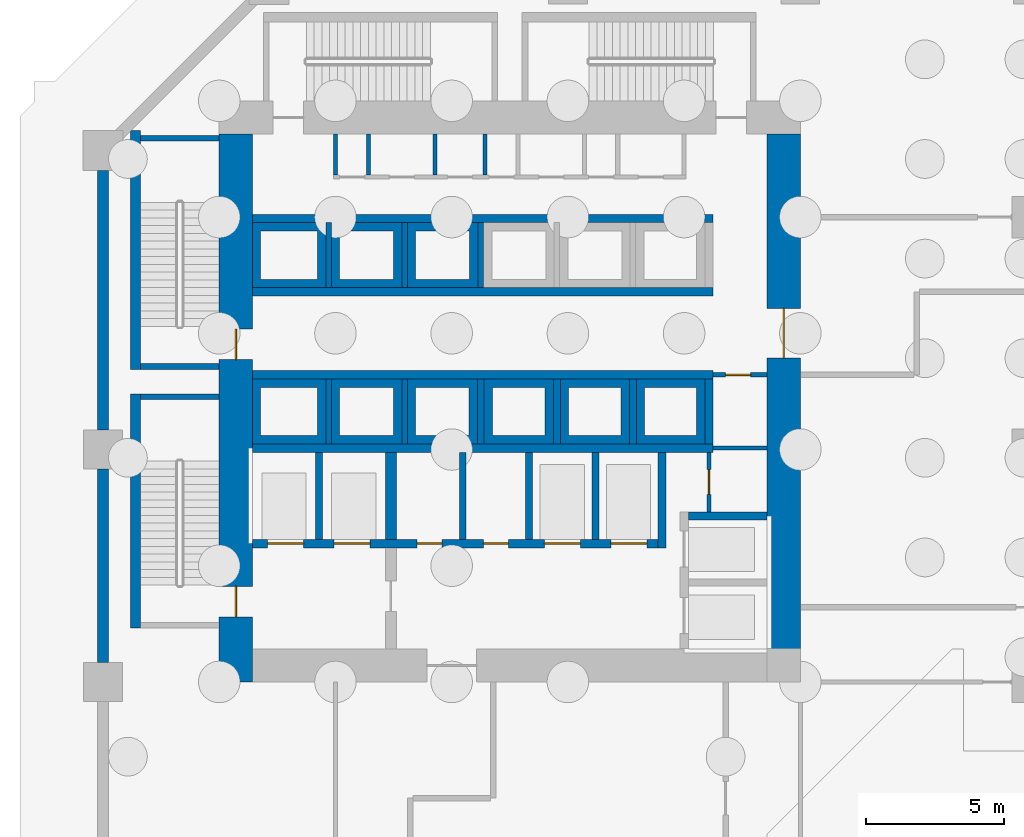
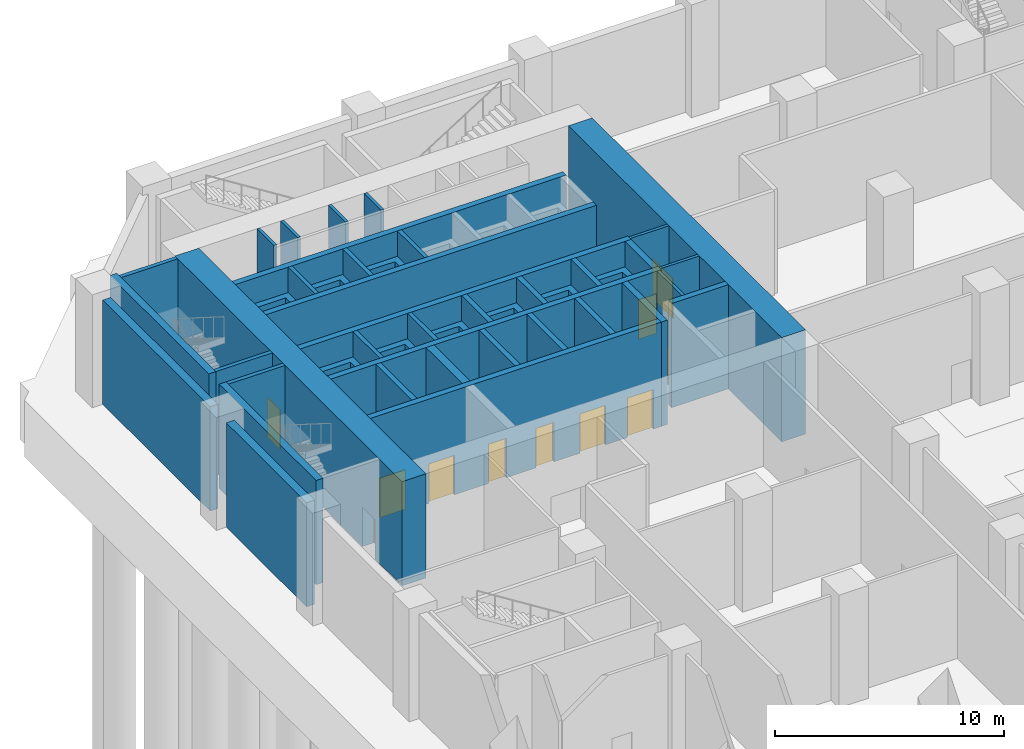
# One storey, part 7 of 13: 46 walls, 11 doors, 11 openings.
"""IFC4 building model written with IfcOpenShell, lengths in metres."""

from ifc_helpers import new_model, si_unit, direction, frame, frame_2d, origin, place, context, subcontext, project, spatial, polyline, rectangle, outline, extrude, material, layer, layer_set, type_object, element, fill, save


model = new_model("IFC4")

# Units and contexts
model_context = context("Model", 3, precision=1e-05, world=origin(), true_north=direction((0.0, 1.0)))
body_context = subcontext(model_context, "Body", "Model", "MODEL_VIEW")
ifc_project = project(units=[si_unit("LENGTHUNIT", "METRE"), si_unit("AREAUNIT", "SQUARE_METRE"), si_unit("VOLUMEUNIT", "CUBIC_METRE"), si_unit("PLANEANGLEUNIT", "RADIAN"), si_unit("MASSUNIT", "GRAM", prefix="KILO")], contexts=[model_context])

# Site, building, storey
site_placement = place(None, origin())
site = spatial("IfcSite", under=ifc_project, at=site_placement, CompositionType="ELEMENT")
building_placement = place(site_placement, origin())
building = spatial("IfcBuilding", under=site, at=building_placement, Name="Kawkab Arch Medical Tower", CompositionType="ELEMENT")
storey_placement = place(building_placement, frame((0.0, 0.0, -6.0)))
storey = spatial("IfcBuildingStorey", under=building, at=storey_placement, Name="B1", CompositionType="ELEMENT", Elevation=-6.0)

# Walls
ifc_material_1 = material(Name="Concrete C45/55", Category="concrete")
ifc_layer_1 = layer(ifc_material_1, 0.39990234375)
ifc_layer_set_1 = layer_set([ifc_layer_1], Name="Concrete C45/55")
wall_type_1 = type_object("IfcWallType", Name="Basement wall 400 C45/55", PredefinedType="SOLIDWALL", material=ifc_layer_set_1)
placement = place(storey_placement, origin())
element("IfcWall", 1, at=placement, inside=storey, type_object=wall_type_1, Name="Basement wall 11", PredefinedType="SOLIDWALL", context=body_context, shape_type="SweptSolid", body=[
    extrude(outline(polyline([(0.199951171875, -6.72509765625), (0.199951171875, -16.10009765625), (-0.199951171875, -16.10009765625), (-0.199951171875, -6.72509765625), (0.199951171875, -6.72509765625)])), origin(), (0.0, 0.0, 1.0), 5.550048828125),
])
element("IfcWall", 2, at=placement, inside=storey, type_object=wall_type_1, Name="Basement wall 13", PredefinedType="SOLIDWALL", context=body_context, shape_type="SweptSolid", body=[
    extrude(outline(polyline([(0.199951171875, -17.5), (0.199951171875, -24.5), (-0.199951171875, -24.5), (-0.199951171875, -17.5), (0.199951171875, -17.5)])), origin(), (0.0, 0.0, 1.0), 5.550048828125),
])

# Wall, openings, doors
ifc_material_2 = material(Name="Concrete C60/75", Category="concrete")
ifc_layer_2 = layer(ifc_material_2, 1.199951171875)
ifc_layer_set_2 = layer_set([ifc_layer_2], Name="Concrete C60/75")
wall_type_2 = type_object("IfcWallType", Name="Core ring wall 1200 C60/75", PredefinedType="SHEAR", material=ifc_layer_set_2)
wall_3_placement = place(storey_placement, frame((4.800048828125, -25.199951171875, 0.0), z_axis=(0.0, 0.0, 1.0), x_axis=(0.0, 1.0, 0.0)))
wall_3 = element("IfcWall", 3, at=wall_3_placement, inside=storey, type_object=wall_type_2, Name="B1 core wall", PredefinedType="SHEAR", context=body_context, shape_type="SweptSolid", body=[
    extrude(rectangle(XDim=19.800048828125, YDim=1.199951171875, at=frame_2d((9.89990234375, 0.0))), origin(), (0.0, 0.0, 1.0), 5.550048828125),
])
opening_1_placement = place(wall_3_placement, frame((11.64990234375, 0.0, 0.0)))
opening_1 = element("IfcOpeningElement", 4, at=opening_1_placement, cuts=wall_3, Name="Opening SD", PredefinedType="OPENING", context=body_context, shape_type="SweptSolid", body=[
    extrude(rectangle(XDim=1.10009765625, YDim=2.10009765625, at=frame_2d((0.550048828125, 1.050048828125))), frame((0.0, 0.60986328125, 0.0), z_axis=(0.0, -1.0, 0.0), x_axis=(1.0, 0.0, 0.0)), (0.0, 0.0, 1.0), 1.219970703125),
])
opening_2_placement = place(wall_3_placement, frame((2.35009765625, 0.0, 0.0)))
opening_2 = element("IfcOpeningElement", 5, at=opening_2_placement, cuts=wall_3, Name="Opening SD", PredefinedType="OPENING", context=body_context, shape_type="SweptSolid", body=[
    extrude(rectangle(XDim=1.10009765625, YDim=2.10009765625, at=frame_2d((0.550048828125, 1.050048828125))), frame((0.0, 0.60986328125, 0.0), z_axis=(0.0, -1.0, 0.0), x_axis=(1.0, 0.0, 0.0)), (0.0, 0.0, 1.0), 1.219970703125),
])
ifc_material_3 = material(Name="Hollow metal fire door leaf")
door_type_1 = type_object("IfcDoorType", Name="Exit stair door 1100", OperationType="SINGLE_SWING_LEFT", PredefinedType="DOOR", material=ifc_material_3)
door_1_placement = place(opening_1_placement, origin())
door_1 = element("IfcDoor", 6, at=door_1_placement, inside=storey, type_object=door_type_1, Name="B1 Exit stair ST1 door", OperationType="SINGLE_SWING_LEFT", OverallHeight=2.10009765625, OverallWidth=1.10009765625, PredefinedType="DOOR", context=body_context, shape_type="SweptSolid", body=[
    extrude(rectangle(XDim=1.10009765625, YDim=2.10009765625, at=frame_2d((0.550048828125, 1.050048828125))), frame((0.0, 0.02490234375, 0.0), z_axis=(0.0, -1.0, 0.0), x_axis=(1.0, 0.0, 0.0)), (0.0, 0.0, 1.0), 0.050048828125),
])
fill(opening_1, door_1)
door_2_placement = place(opening_2_placement, origin())
door_2 = element("IfcDoor", 7, at=door_2_placement, inside=storey, type_object=door_type_1, Name="B1 Exit stair ST2 door", OperationType="SINGLE_SWING_LEFT", OverallHeight=2.10009765625, OverallWidth=1.10009765625, PredefinedType="DOOR", context=body_context, shape_type="SweptSolid", body=[
    extrude(rectangle(XDim=1.10009765625, YDim=2.10009765625, at=frame_2d((0.550048828125, 1.050048828125))), frame((0.0, 0.02490234375, 0.0), z_axis=(0.0, -1.0, 0.0), x_axis=(1.0, 0.0, 0.0)), (0.0, 0.0, 1.0), 0.050048828125),
])
fill(opening_2, door_2)

# Wall, opening, door
wall_4_placement = place(storey_placement, frame((24.60009765625, -24.0, 0.0), z_axis=(0.0, 0.0, 1.0), x_axis=(0.0, 1.0, 0.0)))
wall_4 = element("IfcWall", 8, at=wall_4_placement, inside=storey, type_object=wall_type_2, Name="B1 core wall", PredefinedType="SHEAR", context=body_context, shape_type="SweptSolid", body=[
    extrude(rectangle(XDim=18.60009765625, YDim=1.199951171875, at=frame_2d((9.300048828125, 0.0))), origin(), (0.0, 0.0, 1.0), 5.550048828125),
])
opening_3_placement = place(wall_4_placement, frame((10.5, 0.0, 0.0)))
opening_3 = element("IfcOpeningElement", 9, at=opening_3_placement, cuts=wall_4, Name="Opening PD", PredefinedType="OPENING", context=body_context, shape_type="SweptSolid", body=[
    extrude(rectangle(XDim=1.800048828125, YDim=2.10009765625, at=frame_2d((0.89990234375, 1.050048828125))), frame((0.0, 0.60986328125, 0.0), z_axis=(0.0, -1.0, 0.0), x_axis=(1.0, 0.0, 0.0)), (0.0, 0.0, 1.0), 1.219970703125),
])
ifc_material_4 = material(Name="Hollow metal fire door leaf")
door_type_2 = type_object("IfcDoorType", Name="Core entrance doors 1800", OperationType="DOUBLE_DOOR_SINGLE_SWING", PredefinedType="DOOR", material=ifc_material_4)
door_3_placement = place(opening_3_placement, origin())
door_3 = element("IfcDoor", 10, at=door_3_placement, inside=storey, type_object=door_type_2, Name="B1 East entrance doors", OperationType="DOUBLE_DOOR_SINGLE_SWING", OverallHeight=2.10009765625, OverallWidth=1.800048828125, PredefinedType="DOOR", context=body_context, shape_type="SweptSolid", body=[
    extrude(rectangle(XDim=1.800048828125, YDim=2.10009765625, at=frame_2d((0.89990234375, 1.050048828125))), frame((0.0, 0.02490234375, 0.0), z_axis=(0.0, -1.0, 0.0), x_axis=(1.0, 0.0, 0.0)), (0.0, 0.0, 1.0), 0.050048828125),
])
fill(opening_3, door_3)

ifc_material_5 = material(Name="Gypsum board on steel studs", Category="steel")
ifc_layer_3 = layer(ifc_material_5, 0.14990234375)
ifc_layer_set_3 = layer_set([ifc_layer_3], Name="Gypsum board on steel studs")
wall_type_3 = type_object("IfcWallType", Name="Core room partition 150", PredefinedType="PARTITIONING", material=ifc_layer_set_3)
wall_5_placement = place(storey_placement, frame((21.89990234375, -19.050048828125, 0.0), z_axis=(0.0, 0.0, 1.0), x_axis=(0.0, 1.0, 0.0)))
wall_5 = element("IfcWall", 11, at=wall_5_placement, inside=storey, type_object=wall_type_3, Name="B1 core room partition", PredefinedType="PARTITIONING", context=body_context, shape_type="SweptSolid", body=[
    extrude(rectangle(XDim=2.150146484375, YDim=0.14990234375, at=frame_2d((1.0751953125, 0.0))), origin(), (0.0, 0.0, 1.0), 5.550048828125),
])
opening_4_placement = place(wall_5_placement, frame((0.625, 0.0, 0.0)))
opening_4 = element("IfcOpeningElement", 12, at=opening_4_placement, cuts=wall_5, Name="Opening RD", PredefinedType="OPENING", context=body_context, shape_type="SweptSolid", body=[
    extrude(rectangle(XDim=0.89990234375, YDim=2.10009765625, at=frame_2d((0.449951171875, 1.050048828125))), frame((0.0, 0.0849609375, 0.0), z_axis=(0.0, -1.0, 0.0), x_axis=(1.0, 0.0, 0.0)), (0.0, 0.0, 1.0), 0.169921875),
])
ifc_material_6 = material(Name="Hollow metal fire door leaf")
door_type_3 = type_object("IfcDoorType", Name="Core room door 900", OperationType="SINGLE_SWING_LEFT", PredefinedType="DOOR", material=ifc_material_6)
door_4_placement = place(opening_4_placement, origin())
door_4 = element("IfcDoor", 13, at=door_4_placement, inside=storey, type_object=door_type_3, Name="B1 Staff WC door", OperationType="SINGLE_SWING_LEFT", OverallHeight=2.10009765625, OverallWidth=0.89990234375, PredefinedType="DOOR", context=body_context, shape_type="SweptSolid", body=[
    extrude(rectangle(XDim=0.89990234375, YDim=2.10009765625, at=frame_2d((0.449951171875, 1.050048828125))), frame((0.0, 0.02490234375, 0.0), z_axis=(0.0, -1.0, 0.0), x_axis=(1.0, 0.0, 0.0)), (0.0, 0.0, 1.0), 0.050048828125),
])
fill(opening_4, door_4)

# Wall
wall_6_placement = place(storey_placement, frame((22.050048828125, -16.75, 0.0), z_axis=(0.0, 0.0, 1.0), x_axis=(1.0, 0.0, 0.0)))
element("IfcWall", 14, at=wall_6_placement, inside=storey, type_object=wall_type_3, Name="B1 core room partition", PredefinedType="PARTITIONING", context=body_context, shape_type="SweptSolid", body=[
    extrude(rectangle(XDim=1.949951171875, YDim=0.14990234375, at=frame_2d((0.97509765625, 0.0))), origin(), (0.0, 0.0, 1.0), 5.550048828125),
])

# Wall, opening, door
wall_7_placement = place(storey_placement, frame((22.050048828125, -14.10009765625, 0.0), z_axis=(0.0, 0.0, 1.0), x_axis=(1.0, 0.0, 0.0)))
wall_7 = element("IfcWall", 15, at=wall_7_placement, inside=storey, type_object=wall_type_3, Name="B1 core room partition", PredefinedType="PARTITIONING", context=body_context, shape_type="SweptSolid", body=[
    extrude(rectangle(XDim=1.949951171875, YDim=0.14990234375, at=frame_2d((0.97509765625, 0.0))), origin(), (0.0, 0.0, 1.0), 5.550048828125),
])
opening_5_placement = place(wall_7_placement, frame((0.449951171875, 0.0, 0.0)))
opening_5 = element("IfcOpeningElement", 16, at=opening_5_placement, cuts=wall_7, Name="Opening RD", PredefinedType="OPENING", context=body_context, shape_type="SweptSolid", body=[
    extrude(rectangle(XDim=0.89990234375, YDim=2.10009765625, at=frame_2d((0.449951171875, 1.050048828125))), frame((0.0, 0.0849609375, 0.0), z_axis=(0.0, -1.0, 0.0), x_axis=(1.0, 0.0, 0.0)), (0.0, 0.0, 1.0), 0.169921875),
])
door_5_placement = place(opening_5_placement, origin())
door_5 = element("IfcDoor", 17, at=door_5_placement, inside=storey, type_object=door_type_3, Name="B1 Linen store door", OperationType="SINGLE_SWING_LEFT", OverallHeight=2.10009765625, OverallWidth=0.89990234375, PredefinedType="DOOR", context=body_context, shape_type="SweptSolid", body=[
    extrude(rectangle(XDim=0.89990234375, YDim=2.10009765625, at=frame_2d((0.449951171875, 1.050048828125))), frame((0.0, 0.02490234375, 0.0), z_axis=(0.0, -1.0, 0.0), x_axis=(1.0, 0.0, 0.0)), (0.0, 0.0, 1.0), 0.050048828125),
])
fill(opening_5, door_5)

# Walls
for number, where, z_axis, x_axis, name in (
    (18, (8.39990234375, -6.875, 0.0), (0.0, 0.0, 1.0), (0.0, 1.0, 0.0), "B1 core room partition"),
    (19, (9.60009765625, -6.875, 0.0), (0.0, 0.0, 1.0), (0.0, 1.0, 0.0), "B1 core room partition"),
    (20, (12.0, -6.875, 0.0), (0.0, 0.0, 1.0), (0.0, 1.0, 0.0), "B1 core room partition"),
    (21, (13.800048828125, -6.875, 0.0), (0.0, 0.0, 1.0), (0.0, 1.0, 0.0), "B1 core room partition"),
):
    element("IfcWall", number, at=place(storey_placement, frame(where, z_axis=z_axis, x_axis=x_axis)), inside=storey, type_object=wall_type_3, Name=name, PredefinedType="PARTITIONING", context=body_context, shape_type="SweptSolid", body=[
        extrude(rectangle(XDim=1.47509765625, YDim=0.14990234375, at=frame_2d((0.737548828125, 0.0))), origin(), (0.0, 0.0, 1.0), 5.550048828125),
    ])
ifc_material_7 = material(Name="Concrete C60/75", Category="concrete")
ifc_layer_4 = layer(ifc_material_7, 0.25)
ifc_layer_set_4 = layer_set([ifc_layer_4], Name="Concrete C60/75")
wall_type_4 = type_object("IfcWallType", Name="Core shear wall 250 C60/75", PredefinedType="SHEAR", material=ifc_layer_set_4)
for number, where, z_axis, x_axis, name in (
    (22, (7.800048828125, -20.050048828125, 0.0), (0.0, 0.0, 1.0), (0.0, 1.0, 0.0), "B1 core shear wall"),
    (23, (13.0, -20.050048828125, 0.0), (0.0, 0.0, 1.0), (0.0, 1.0, 0.0), "B1 core shear wall"),
    (24, (15.39990234375, -20.050048828125, 0.0), (0.0, 0.0, 1.0), (0.0, 1.0, 0.0), "B1 core shear wall"),
    (25, (17.800048828125, -20.050048828125, 0.0), (0.0, 0.0, 1.0), (0.0, 1.0, 0.0), "B1 core shear wall"),
):
    element("IfcWall", number, at=place(storey_placement, frame(where, z_axis=z_axis, x_axis=x_axis)), inside=storey, type_object=wall_type_4, Name=name, PredefinedType="SHEAR", context=body_context, shape_type="SweptSolid", body=[
        extrude(rectangle(XDim=3.150146484375, YDim=0.25, at=frame_2d((1.5751953125, 0.0))), origin(), (0.0, 0.0, 1.0), 5.550048828125),
    ])
for number, where, z_axis, x_axis, name in (
    (26, (13.64990234375, -16.60009765625, 0.0), (0.0, 0.0, 1.0), (0.0, 1.0, 0.0), "B1 core shear wall"),
    (27, (16.39990234375, -16.60009765625, 0.0), (0.0, 0.0, 1.0), (0.0, 1.0, 0.0), "B1 core shear wall"),
    (28, (19.14990234375, -16.60009765625, 0.0), (0.0, 0.0, 1.0), (0.0, 1.0, 0.0), "B1 core shear wall"),
):
    element("IfcWall", number, at=place(storey_placement, frame(where, z_axis=z_axis, x_axis=x_axis)), inside=storey, type_object=wall_type_4, Name=name, PredefinedType="SHEAR", context=body_context, shape_type="SweptSolid", body=[
        extrude(rectangle(XDim=2.35009765625, YDim=0.25, at=frame_2d((1.175048828125, 0.0))), origin(), (0.0, 0.0, 1.0), 5.550048828125),
    ])
ifc_material_8 = material(Name="Concrete C60/75", Category="concrete")
ifc_layer_5 = layer(ifc_material_8, 0.300048828125)
ifc_layer_set_5 = layer_set([ifc_layer_5], Name="Concrete C60/75")
wall_type_5 = type_object("IfcWallType", Name="Core shear wall 300 C60/75", PredefinedType="SHEAR", material=ifc_layer_set_5)
for number, where, z_axis, x_axis, name in (
    (29, (5.39990234375, -8.449951171875, 0.0), (0.0, 0.0, 1.0), (1.0, 0.0, 0.0), "B1 core shear wall"),
    (30, (5.39990234375, -11.10009765625, 0.0), (0.0, 0.0, 1.0), (1.0, 0.0, 0.0), "B1 core shear wall"),
    (31, (5.39990234375, -14.10009765625, 0.0), (0.0, 0.0, 1.0), (1.0, 0.0, 0.0), "B1 core shear wall"),
    (32, (5.39990234375, -16.75, 0.0), (0.0, 0.0, 1.0), (1.0, 0.0, 0.0), "B1 core shear wall"),
):
    element("IfcWall", number, at=place(storey_placement, frame(where, z_axis=z_axis, x_axis=x_axis)), inside=storey, type_object=wall_type_5, Name=name, PredefinedType="SHEAR", context=body_context, shape_type="SweptSolid", body=[
        extrude(rectangle(XDim=16.650146484375, YDim=0.300048828125, at=frame_2d((8.3251953125, 0.0))), origin(), (0.0, 0.0, 1.0), 5.550048828125),
    ])

# Wall, openings, doors
wall_8_placement = place(storey_placement, frame((5.39990234375, -20.199951171875, 0.0), z_axis=(0.0, 0.0, 1.0), x_axis=(1.0, 0.0, 0.0)))
wall_8 = element("IfcWall", 33, at=wall_8_placement, inside=storey, type_object=wall_type_5, Name="B1 core shear wall", PredefinedType="SHEAR", context=body_context, shape_type="SweptSolid", body=[
    extrude(rectangle(XDim=14.650146484375, YDim=0.300048828125, at=frame_2d((7.3251953125, 0.0))), origin(), (0.0, 0.0, 1.0), 5.550048828125),
])
opening_6_placement = place(wall_8_placement, frame((10.550048828125, 0.0, 0.0)))
opening_6 = element("IfcOpeningElement", 34, at=opening_6_placement, cuts=wall_8, Name="Opening LD2", PredefinedType="OPENING", context=body_context, shape_type="SweptSolid", body=[
    extrude(rectangle(XDim=1.300048828125, YDim=2.10009765625, at=frame_2d((0.64990234375, 1.050048828125))), frame((0.0, 0.159912109375, 0.0), z_axis=(0.0, -1.0, 0.0), x_axis=(1.0, 0.0, 0.0)), (0.0, 0.0, 1.0), 0.320068359375),
])
opening_7_placement = place(wall_8_placement, frame((12.949951171875, 0.0, 0.0)))
opening_7 = element("IfcOpeningElement", 35, at=opening_7_placement, cuts=wall_8, Name="Opening LD2", PredefinedType="OPENING", context=body_context, shape_type="SweptSolid", body=[
    extrude(rectangle(XDim=1.300048828125, YDim=2.10009765625, at=frame_2d((0.64990234375, 1.050048828125))), frame((0.0, 0.159912109375, 0.0), z_axis=(0.0, -1.0, 0.0), x_axis=(1.0, 0.0, 0.0)), (0.0, 0.0, 1.0), 0.320068359375),
])
opening_8_placement = place(wall_8_placement, frame((0.550048828125, 0.0, 0.0)))
opening_8 = element("IfcOpeningElement", 36, at=opening_8_placement, cuts=wall_8, Name="Opening LD2", PredefinedType="OPENING", context=body_context, shape_type="SweptSolid", body=[
    extrude(rectangle(XDim=1.300048828125, YDim=2.10009765625, at=frame_2d((0.64990234375, 1.050048828125))), frame((0.0, 0.159912109375, 0.0), z_axis=(0.0, -1.0, 0.0), x_axis=(1.0, 0.0, 0.0)), (0.0, 0.0, 1.0), 0.320068359375),
])
opening_9_placement = place(wall_8_placement, frame((2.949951171875, 0.0, 0.0)))
opening_9 = element("IfcOpeningElement", 37, at=opening_9_placement, cuts=wall_8, Name="Opening LD2", PredefinedType="OPENING", context=body_context, shape_type="SweptSolid", body=[
    extrude(rectangle(XDim=1.300048828125, YDim=2.10009765625, at=frame_2d((0.64990234375, 1.050048828125))), frame((0.0, 0.159912109375, 0.0), z_axis=(0.0, -1.0, 0.0), x_axis=(1.0, 0.0, 0.0)), (0.0, 0.0, 1.0), 0.320068359375),
])
opening_10_placement = place(wall_8_placement, frame((5.949951171875, 0.0, 0.0)))
opening_10 = element("IfcOpeningElement", 38, at=opening_10_placement, cuts=wall_8, Name="Opening RD", PredefinedType="OPENING", context=body_context, shape_type="SweptSolid", body=[
    extrude(rectangle(XDim=0.89990234375, YDim=2.10009765625, at=frame_2d((0.449951171875, 1.050048828125))), frame((0.0, 0.159912109375, 0.0), z_axis=(0.0, -1.0, 0.0), x_axis=(1.0, 0.0, 0.0)), (0.0, 0.0, 1.0), 0.320068359375),
])
opening_11_placement = place(wall_8_placement, frame((8.35009765625, 0.0, 0.0)))
opening_11 = element("IfcOpeningElement", 39, at=opening_11_placement, cuts=wall_8, Name="Opening RD", PredefinedType="OPENING", context=body_context, shape_type="SweptSolid", body=[
    extrude(rectangle(XDim=0.89990234375, YDim=2.10009765625, at=frame_2d((0.449951171875, 1.050048828125))), frame((0.0, 0.159912109375, 0.0), z_axis=(0.0, -1.0, 0.0), x_axis=(1.0, 0.0, 0.0)), (0.0, 0.0, 1.0), 0.320068359375),
])
door_6_placement = place(opening_10_placement, origin())
door_6 = element("IfcDoor", 40, at=door_6_placement, inside=storey, type_object=door_type_3, Name="B1 Clean utility room door", OperationType="SINGLE_SWING_LEFT", OverallHeight=2.10009765625, OverallWidth=0.89990234375, PredefinedType="DOOR", context=body_context, shape_type="SweptSolid", body=[
    extrude(rectangle(XDim=0.89990234375, YDim=2.10009765625, at=frame_2d((0.449951171875, 1.050048828125))), frame((0.0, 0.02490234375, 0.0), z_axis=(0.0, -1.0, 0.0), x_axis=(1.0, 0.0, 0.0)), (0.0, 0.0, 1.0), 0.050048828125),
])
fill(opening_10, door_6)
door_7_placement = place(opening_11_placement, origin())
door_7 = element("IfcDoor", 41, at=door_7_placement, inside=storey, type_object=door_type_3, Name="B1 Dirty utility room door", OperationType="SINGLE_SWING_LEFT", OverallHeight=2.10009765625, OverallWidth=0.89990234375, PredefinedType="DOOR", context=body_context, shape_type="SweptSolid", body=[
    extrude(rectangle(XDim=0.89990234375, YDim=2.10009765625, at=frame_2d((0.449951171875, 1.050048828125))), frame((0.0, 0.02490234375, 0.0), z_axis=(0.0, -1.0, 0.0), x_axis=(1.0, 0.0, 0.0)), (0.0, 0.0, 1.0), 0.050048828125),
])
fill(opening_11, door_7)
ifc_material_9 = material(Name="Stainless steel lift door leaf", Category="steel")
door_type_4 = type_object("IfcDoorType", Name="Lift landing door 1300", OperationType="DOUBLE_DOOR_SLIDING", PredefinedType="DOOR", material=ifc_material_9)
door_8_placement = place(opening_6_placement, origin())
door_8 = element("IfcDoor", 42, at=door_8_placement, inside=storey, type_object=door_type_4, Name="B1 Lift landing door BD3", OperationType="DOUBLE_DOOR_SLIDING", OverallHeight=2.10009765625, OverallWidth=1.300048828125, PredefinedType="DOOR", context=body_context, shape_type="SweptSolid", body=[
    extrude(rectangle(XDim=1.300048828125, YDim=2.10009765625, at=frame_2d((0.64990234375, 1.050048828125))), frame((0.0, 0.02490234375, 0.0), z_axis=(0.0, -1.0, 0.0), x_axis=(1.0, 0.0, 0.0)), (0.0, 0.0, 1.0), 0.050048828125),
])
fill(opening_6, door_8)
door_9_placement = place(opening_7_placement, origin())
door_9 = element("IfcDoor", 43, at=door_9_placement, inside=storey, type_object=door_type_4, Name="B1 Lift landing door BD4", OperationType="DOUBLE_DOOR_SLIDING", OverallHeight=2.10009765625, OverallWidth=1.300048828125, PredefinedType="DOOR", context=body_context, shape_type="SweptSolid", body=[
    extrude(rectangle(XDim=1.300048828125, YDim=2.10009765625, at=frame_2d((0.64990234375, 1.050048828125))), frame((0.0, 0.02490234375, 0.0), z_axis=(0.0, -1.0, 0.0), x_axis=(1.0, 0.0, 0.0)), (0.0, 0.0, 1.0), 0.050048828125),
])
fill(opening_7, door_9)
door_10_placement = place(opening_8_placement, origin())
door_10 = element("IfcDoor", 44, at=door_10_placement, inside=storey, type_object=door_type_4, Name="B1 Lift landing door FL1", OperationType="DOUBLE_DOOR_SLIDING", OverallHeight=2.10009765625, OverallWidth=1.300048828125, PredefinedType="DOOR", context=body_context, shape_type="SweptSolid", body=[
    extrude(rectangle(XDim=1.300048828125, YDim=2.10009765625, at=frame_2d((0.64990234375, 1.050048828125))), frame((0.0, 0.02490234375, 0.0), z_axis=(0.0, -1.0, 0.0), x_axis=(1.0, 0.0, 0.0)), (0.0, 0.0, 1.0), 0.050048828125),
])
fill(opening_8, door_10)
door_11_placement = place(opening_9_placement, origin())
door_11 = element("IfcDoor", 45, at=door_11_placement, inside=storey, type_object=door_type_4, Name="B1 Lift landing door FL2", OperationType="DOUBLE_DOOR_SLIDING", OverallHeight=2.10009765625, OverallWidth=1.300048828125, PredefinedType="DOOR", context=body_context, shape_type="SweptSolid", body=[
    extrude(rectangle(XDim=1.300048828125, YDim=2.10009765625, at=frame_2d((0.64990234375, 1.050048828125))), frame((0.0, 0.02490234375, 0.0), z_axis=(0.0, -1.0, 0.0), x_axis=(1.0, 0.0, 0.0)), (0.0, 0.0, 1.0), 0.050048828125),
])
fill(opening_9, door_11)

# Walls
wall_9_placement = place(storey_placement, frame((20.199951171875, -20.35009765625, 0.0), z_axis=(0.0, 0.0, 1.0), x_axis=(0.0, 1.0, 0.0)))
element("IfcWall", 46, at=wall_9_placement, inside=storey, type_object=wall_type_5, Name="B1 core shear wall", PredefinedType="SHEAR", context=body_context, shape_type="SweptSolid", body=[
    extrude(rectangle(XDim=3.4501953125, YDim=0.300048828125, at=frame_2d((1.72509765625, 0.0))), origin(), (0.0, 0.0, 1.0), 5.550048828125),
])
wall_10_placement = place(storey_placement, frame((21.89990234375, -16.60009765625, 0.0), z_axis=(0.0, 0.0, 1.0), x_axis=(0.0, 1.0, 0.0)))
element("IfcWall", 47, at=wall_10_placement, inside=storey, type_object=wall_type_5, Name="B1 core shear wall", PredefinedType="SHEAR", context=body_context, shape_type="SweptSolid", body=[
    extrude(rectangle(XDim=2.35009765625, YDim=0.300048828125, at=frame_2d((1.175048828125, 0.0))), origin(), (0.0, 0.0, 1.0), 5.550048828125),
])
wall_11_placement = place(storey_placement, frame((21.14990234375, -19.199951171875, 0.0), z_axis=(0.0, 0.0, 1.0), x_axis=(1.0, 0.0, 0.0)))
element("IfcWall", 48, at=wall_11_placement, inside=storey, type_object=wall_type_5, Name="B1 core shear wall", PredefinedType="SHEAR", context=body_context, shape_type="SweptSolid", body=[
    extrude(rectangle(XDim=2.85009765625, YDim=0.300048828125, at=frame_2d((1.425048828125, 0.0))), origin(), (0.0, 0.0, 1.0), 5.550048828125),
])
ifc_material_10 = material(Name="Concrete C60/75", Category="concrete")
ifc_layer_6 = layer(ifc_material_10, 0.39990234375)
ifc_layer_set_6 = layer_set([ifc_layer_6], Name="Concrete C60/75")
wall_type_6 = type_object("IfcWallType", Name="Core shear wall 400 C60/75", PredefinedType="SHEAR", material=ifc_layer_set_6)
wall_12_placement = place(storey_placement, frame((10.39990234375, -20.050048828125, 0.0), z_axis=(0.0, 0.0, 1.0), x_axis=(0.0, 1.0, 0.0)))
element("IfcWall", 49, at=wall_12_placement, inside=storey, type_object=wall_type_6, Name="B1 core shear wall", PredefinedType="SHEAR", context=body_context, shape_type="SweptSolid", body=[
    extrude(rectangle(XDim=3.150146484375, YDim=0.39990234375, at=frame_2d((1.5751953125, 0.0))), origin(), (0.0, 0.0, 1.0), 5.550048828125),
])
ifc_material_11 = material(Name="Dense concrete blockwork", Category="masonry")
ifc_layer_7 = layer(ifc_material_11, 0.199951171875)
ifc_layer_set_7 = layer_set([ifc_layer_7], Name="Dense concrete blockwork")
wall_type_7 = type_object("IfcWallType", Name="Lift shaft partition 200", PredefinedType="PARTITIONING", material=ifc_layer_set_7)
for number, where, z_axis, x_axis, name in (
    (50, (8.14990234375, -10.949951171875, 0.0), (0.0, 0.0, 1.0), (0.0, 1.0, 0.0), "B1 lift shaft partition"),
    (51, (10.89990234375, -10.949951171875, 0.0), (0.0, 0.0, 1.0), (0.0, 1.0, 0.0), "B1 lift shaft partition"),
    (52, (13.64990234375, -10.949951171875, 0.0), (0.0, 0.0, 1.0), (0.0, 1.0, 0.0), "B1 lift shaft partition"),
):
    element("IfcWall", number, at=place(storey_placement, frame(where, z_axis=z_axis, x_axis=x_axis)), inside=storey, type_object=wall_type_7, Name=name, PredefinedType="PARTITIONING", context=body_context, shape_type="SweptSolid", body=[
        extrude(rectangle(XDim=2.349853515625, YDim=0.199951171875, at=frame_2d((1.1748046875, 0.0))), origin(), (0.0, 0.0, 1.0), 5.550048828125),
    ])
for number, where, z_axis, x_axis, name in (
    (53, (8.14990234375, -16.60009765625, 0.0), (0.0, 0.0, 1.0), (0.0, 1.0, 0.0), "B1 lift shaft partition"),
    (54, (10.89990234375, -16.60009765625, 0.0), (0.0, 0.0, 1.0), (0.0, 1.0, 0.0), "B1 lift shaft partition"),
):
    element("IfcWall", number, at=place(storey_placement, frame(where, z_axis=z_axis, x_axis=x_axis)), inside=storey, type_object=wall_type_7, Name=name, PredefinedType="PARTITIONING", context=body_context, shape_type="SweptSolid", body=[
        extrude(rectangle(XDim=2.35009765625, YDim=0.199951171875, at=frame_2d((1.175048828125, 0.0))), origin(), (0.0, 0.0, 1.0), 5.550048828125),
    ])
ifc_material_12 = material(Name="Concrete C45/55", Category="concrete")
ifc_layer_8 = layer(ifc_material_12, 0.300048828125)
ifc_layer_set_8 = layer_set([ifc_layer_8], Name="Concrete C45/55")
wall_type_8 = type_object("IfcWallType", Name="Lift well wall 300 C45/55", PredefinedType="SHEAR", material=ifc_layer_set_8)
element("IfcWall", 55, at=placement, inside=storey, type_object=wall_type_8, Name="Lift well wall HP1", PredefinedType="SHEAR", context=body_context, shape_type="SweptSolid", body=[
    extrude(outline(polyline([(11.0, -16.60009765625), (11.0, -14.25), (13.52490234375, -14.25), (13.52490234375, -16.60009765625), (11.0, -16.60009765625)]), holes=[polyline([(13.22509765625, -14.550048828125), (11.300048828125, -14.550048828125), (11.300048828125, -16.300048828125), (13.22509765625, -16.300048828125), (13.22509765625, -14.550048828125)])]), origin(), (0.0, 0.0, 1.0), 4.199951171875),
])
element("IfcWall", 56, at=placement, inside=storey, type_object=wall_type_8, Name="Lift well wall HP2", PredefinedType="SHEAR", context=body_context, shape_type="SweptSolid", body=[
    extrude(outline(polyline([(13.77490234375, -16.60009765625), (13.77490234375, -14.25), (16.27490234375, -14.25), (16.27490234375, -16.60009765625), (13.77490234375, -16.60009765625)]), holes=[polyline([(15.97509765625, -14.550048828125), (14.074951171875, -14.550048828125), (14.074951171875, -16.300048828125), (15.97509765625, -16.300048828125), (15.97509765625, -14.550048828125)])]), origin(), (0.0, 0.0, 1.0), 4.199951171875),
])
element("IfcWall", 57, at=placement, inside=storey, type_object=wall_type_8, Name="Lift well wall HP3", PredefinedType="SHEAR", context=body_context, shape_type="SweptSolid", body=[
    extrude(outline(polyline([(16.52490234375, -16.60009765625), (16.52490234375, -14.25), (19.02490234375, -14.25), (19.02490234375, -16.60009765625), (16.52490234375, -16.60009765625)]), holes=[polyline([(18.72509765625, -14.550048828125), (16.824951171875, -14.550048828125), (16.824951171875, -16.300048828125), (18.72509765625, -16.300048828125), (18.72509765625, -14.550048828125)])]), origin(), (0.0, 0.0, 1.0), 4.199951171875),
])
element("IfcWall", 58, at=placement, inside=storey, type_object=wall_type_8, Name="Lift well wall HP4", PredefinedType="SHEAR", context=body_context, shape_type="SweptSolid", body=[
    extrude(outline(polyline([(19.27490234375, -16.60009765625), (19.27490234375, -14.25), (21.75, -14.25), (21.75, -16.60009765625), (19.27490234375, -16.60009765625)]), holes=[polyline([(21.449951171875, -14.550048828125), (19.574951171875, -14.550048828125), (19.574951171875, -16.300048828125), (21.449951171875, -16.300048828125), (21.449951171875, -14.550048828125)])]), origin(), (0.0, 0.0, 1.0), 4.199951171875),
])
element("IfcWall", 59, at=placement, inside=storey, type_object=wall_type_8, Name="Lift well wall LP1", PredefinedType="SHEAR", context=body_context, shape_type="SweptSolid", body=[
    extrude(outline(polyline([(5.39990234375, -10.949951171875), (5.39990234375, -8.60009765625), (8.050048828125, -8.60009765625), (8.050048828125, -10.949951171875), (5.39990234375, -10.949951171875)]), holes=[polyline([(7.75, -8.89990234375), (5.699951171875, -8.89990234375), (5.699951171875, -10.64990234375), (7.75, -10.64990234375), (7.75, -8.89990234375)])]), origin(), (0.0, 0.0, 1.0), 4.199951171875),
])
element("IfcWall", 60, at=placement, inside=storey, type_object=wall_type_8, Name="Lift well wall LP2", PredefinedType="SHEAR", context=body_context, shape_type="SweptSolid", body=[
    extrude(outline(polyline([(8.25, -10.949951171875), (8.25, -8.60009765625), (10.800048828125, -8.60009765625), (10.800048828125, -10.949951171875), (8.25, -10.949951171875)]), holes=[polyline([(10.5, -8.89990234375), (8.550048828125, -8.89990234375), (8.550048828125, -10.64990234375), (10.5, -10.64990234375), (10.5, -8.89990234375)])]), origin(), (0.0, 0.0, 1.0), 4.199951171875),
])
element("IfcWall", 61, at=placement, inside=storey, type_object=wall_type_8, Name="Lift well wall LP3", PredefinedType="SHEAR", context=body_context, shape_type="SweptSolid", body=[
    extrude(outline(polyline([(11.0, -10.949951171875), (11.0, -8.60009765625), (13.550048828125, -8.60009765625), (13.550048828125, -10.949951171875), (11.0, -10.949951171875)]), holes=[polyline([(13.25, -8.89990234375), (11.300048828125, -8.89990234375), (11.300048828125, -10.64990234375), (13.25, -10.64990234375), (13.25, -8.89990234375)])]), origin(), (0.0, 0.0, 1.0), 4.199951171875),
])
element("IfcWall", 62, at=placement, inside=storey, type_object=wall_type_8, Name="Lift well wall MP3", PredefinedType="SHEAR", context=body_context, shape_type="SweptSolid", body=[
    extrude(outline(polyline([(5.39990234375, -16.60009765625), (5.39990234375, -14.25), (8.050048828125, -14.25), (8.050048828125, -16.60009765625), (5.39990234375, -16.60009765625)]), holes=[polyline([(7.75, -14.550048828125), (5.699951171875, -14.550048828125), (5.699951171875, -16.300048828125), (7.75, -16.300048828125), (7.75, -14.550048828125)])]), origin(), (0.0, 0.0, 1.0), 4.199951171875),
])
element("IfcWall", 63, at=placement, inside=storey, type_object=wall_type_8, Name="Lift well wall MP4", PredefinedType="SHEAR", context=body_context, shape_type="SweptSolid", body=[
    extrude(outline(polyline([(8.25, -16.60009765625), (8.25, -14.25), (10.800048828125, -14.25), (10.800048828125, -16.60009765625), (8.25, -16.60009765625)]), holes=[polyline([(10.5, -14.550048828125), (8.550048828125, -14.550048828125), (8.550048828125, -16.300048828125), (10.5, -16.300048828125), (10.5, -14.550048828125)])]), origin(), (0.0, 0.0, 1.0), 4.199951171875),
])
ifc_material_13 = material(Name="Concrete C50/60", Category="concrete")
ifc_layer_9 = layer(ifc_material_13, 0.199951171875)
ifc_layer_set_9 = layer_set([ifc_layer_9], Name="Concrete C50/60")
wall_type_9 = type_object("IfcWallType", Name="Stair enclosure wall 200 C50/60", PredefinedType="SHEAR", material=ifc_layer_set_9)
for number, where, z_axis, x_axis, name in (
    (64, (1.35009765625, -5.550048828125, 0.0), (0.0, 0.0, 1.0), (1.0, 0.0, 0.0), "B1 stair enclosure wall"),
    (65, (1.35009765625, -13.800048828125, 0.0), (0.0, 0.0, 1.0), (1.0, 0.0, 0.0), "B1 stair enclosure wall"),
    (66, (1.35009765625, -14.89990234375, 0.0), (0.0, 0.0, 1.0), (1.0, 0.0, 0.0), "B1 stair enclosure wall"),
):
    element("IfcWall", number, at=place(storey_placement, frame(where, z_axis=z_axis, x_axis=x_axis)), inside=storey, type_object=wall_type_9, Name=name, PredefinedType="SHEAR", context=body_context, shape_type="SweptSolid", body=[
        extrude(rectangle(XDim=2.849853515625, YDim=0.199951171875, at=frame_2d((1.4248046875, 0.0))), origin(), (0.0, 0.0, 1.0), 5.550048828125),
    ])
ifc_material_14 = material(Name="Concrete C50/60", Category="concrete")
ifc_layer_10 = layer(ifc_material_14, 0.35009765625)
ifc_layer_set_10 = layer_set([ifc_layer_10], Name="Concrete C50/60")
wall_type_10 = type_object("IfcWallType", Name="Stair enclosure wall 350 C50/60", PredefinedType="SHEAR", material=ifc_layer_set_10)
wall_22_placement = place(storey_placement, frame((1.175048828125, -13.89990234375, 0.0), z_axis=(0.0, 0.0, 1.0), x_axis=(0.0, 1.0, 0.0)))
element("IfcWall", 67, at=wall_22_placement, inside=storey, type_object=wall_type_10, Name="B1 stair enclosure wall", PredefinedType="SHEAR", context=body_context, shape_type="SweptSolid", body=[
    extrude(rectangle(XDim=8.635009765625, YDim=0.35009765625, at=frame_2d((4.3173828125, 0.0))), origin(), (0.0, 0.0, 1.0), 5.550048828125),
])
wall_23_placement = place(storey_placement, frame((1.175048828125, -23.25, 0.0), z_axis=(0.0, 0.0, 1.0), x_axis=(0.0, 1.0, 0.0)))
element("IfcWall", 68, at=wall_23_placement, inside=storey, type_object=wall_type_10, Name="B1 stair enclosure wall", PredefinedType="SHEAR", context=body_context, shape_type="SweptSolid", body=[
    extrude(rectangle(XDim=8.449951171875, YDim=0.35009765625, at=frame_2d((4.22509765625, 0.0))), origin(), (0.0, 0.0, 1.0), 5.550048828125),
])

save(model, "model.ifc")
